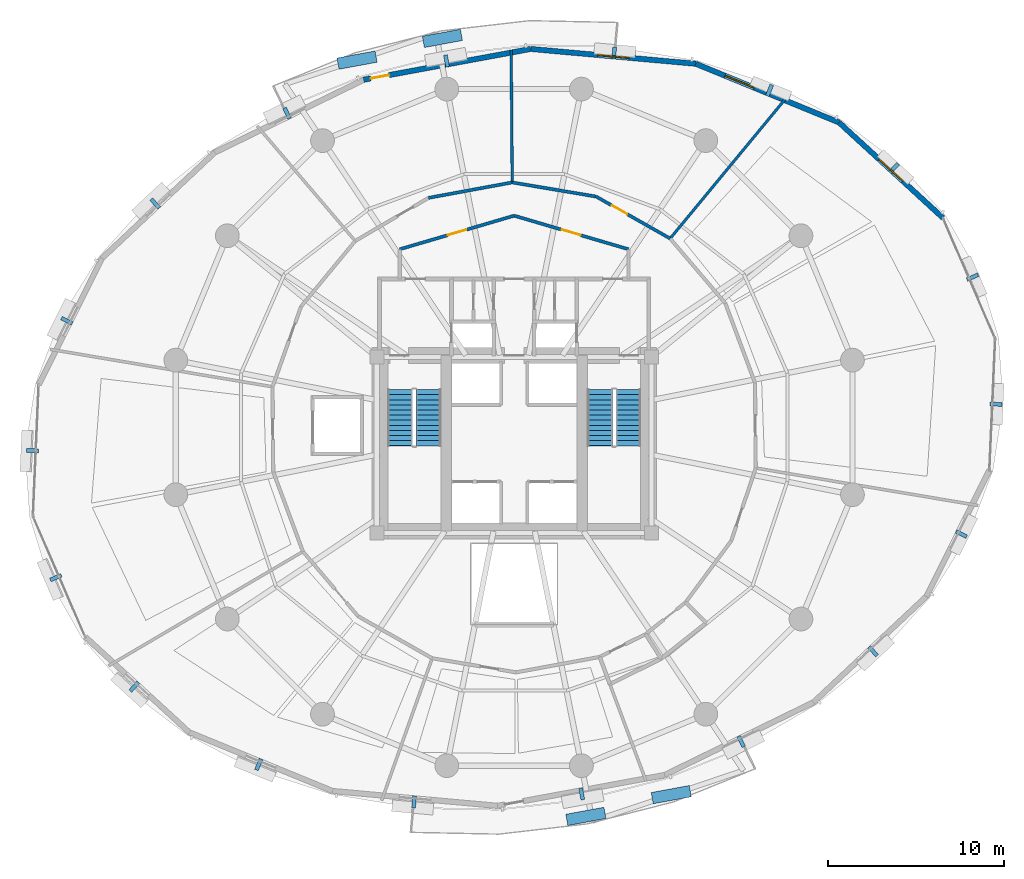
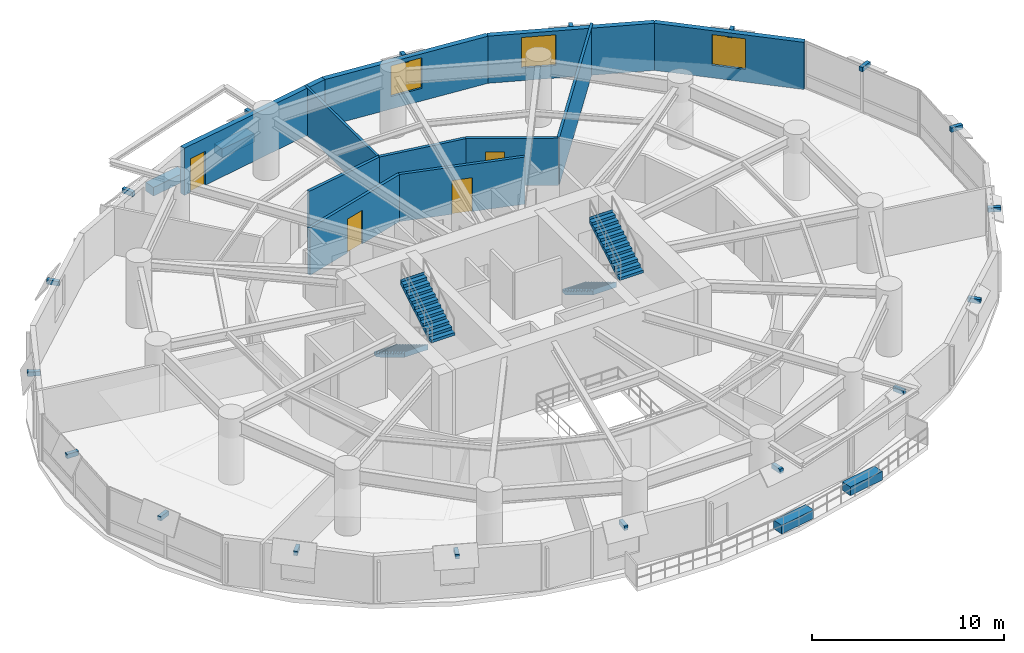
# One storey, part 14 of 17: 22 discrete accessories, 11 walls, 4 doors, 4 stair flights, 3 windows, 7 openings, 2 elements without a shape of their own.
"""IFC4 building model written with IfcOpenShell, lengths in metres."""

from ifc_helpers import new_model, si_unit, direction, frame, frame_2d, origin, origin_2d, place, context, subcontext, project, spatial, polyline, rectangle, outline, extrude, material, layer, layer_set, type_object, element, fill, aggregate, save


model = new_model("IFC4")

# Units and contexts
model_context = context("Model", 3, precision=1e-05, world=origin(), true_north=direction((0.0, 1.0)))
body_context = subcontext(model_context, "Body", "Model", "MODEL_VIEW")
ifc_project = project(units=[si_unit("LENGTHUNIT", "METRE"), si_unit("AREAUNIT", "SQUARE_METRE"), si_unit("VOLUMEUNIT", "CUBIC_METRE"), si_unit("PLANEANGLEUNIT", "RADIAN"), si_unit("MASSUNIT", "GRAM", prefix="KILO"), si_unit("THERMODYNAMICTEMPERATUREUNIT", "KELVIN"), si_unit("POWERUNIT", "WATT")], contexts=[model_context])

# Site, building, storey
site_placement = place(None, origin())
site = spatial("IfcSite", under=ifc_project, at=site_placement, CompositionType="ELEMENT")
building_placement = place(site_placement, origin())
building = spatial("IfcBuilding", under=site, at=building_placement, Name="Ocrelia Relay Tower", CompositionType="ELEMENT")
storey_placement = place(building_placement, frame((0.0, 0.0, 76.199951171875)))
storey = spatial("IfcBuildingStorey", under=building, at=storey_placement, Name="L17", CompositionType="ELEMENT", Elevation=76.199951171875)

# Wall, opening, door
ifc_material_1 = material(Name="Gypsum Fireboard Partition EI60", Category="gypsum")
ifc_layer_1 = layer(ifc_material_1, 0.179931640625, Name="Gypsum Fireboard Partition EI60")
ifc_layer_set_1 = layer_set([ifc_layer_1], Name="Gypsum Fireboard Partition EI60")
wall_type_1 = type_object("IfcWallType", Name="W-CORR-EI60-180", PredefinedType="PARTITIONING", material=ifc_layer_set_1)
wall_1_placement = place(storey_placement, frame((27.5, 36.122802734375, 0.0), z_axis=(0.0, 0.0, 1.0), x_axis=(0.959546654541, 0.281549671923, 0.0)))
wall_1 = element("IfcWall", 1, at=wall_1_placement, inside=storey, type_object=wall_type_1, Name="L17 North Smoke Lobby W Screen Wall", PredefinedType="PARTITIONING", context=body_context, shape_type="SweptSolid", body=[
    extrude(rectangle(XDim=6.77392578125, YDim=0.179931640625, at=frame_2d((3.386962890625, 0.0))), origin(), (0.0, 0.0, 1.0), 3.0),
])
opening_1_placement = place(wall_1_placement, frame((2.8369140625, 0.0, 0.0)))
opening_1 = element("IfcOpeningElement", 2, at=opening_1_placement, cuts=wall_1, Name="Opening D-FD60", PredefinedType="OPENING", context=body_context, shape_type="SweptSolid", body=[
    extrude(rectangle(XDim=1.10009765625, YDim=2.14990234375, at=frame_2d((0.550048828125, 1.074951171875))), frame((0.0, 0.10009765625, 0.0), z_axis=(0.0, -1.0, 0.0), x_axis=(1.0, 0.0, 0.0)), (0.0, 0.0, 1.0), 0.199951171875),
])
ifc_material_2 = material(Name="Timber-core 60-min acoustic fire door", Category="wood")
door_type_1 = type_object("IfcDoorType", Name="DR-LOBBY-FD60-1100", OperationType="NOTDEFINED", PredefinedType="DOOR", material=ifc_material_2)
door_1_placement = place(opening_1_placement, origin())
door_1 = element("IfcDoor", 3, at=door_1_placement, inside=storey, type_object=door_type_1, Name="L17 North Smoke Lobby W Fire Door", OperationType="SINGLE_SWING_RIGHT", OverallHeight=2.14990234375, OverallWidth=1.10009765625, PredefinedType="DOOR", context=body_context, shape_type="SweptSolid", body=[
    extrude(rectangle(XDim=1.10009765625, YDim=2.14990234375, at=frame_2d((0.550048828125, 1.074951171875))), frame((0.0, 0.02490234375, 0.0), z_axis=(0.0, -1.0, 0.0), x_axis=(1.0, 0.0, 0.0)), (0.0, 0.0, 1.0), 0.050048828125),
])
fill(opening_1, door_1)

wall_2_placement = place(storey_placement, frame((34.0, 38.030029296875, 0.0), z_axis=(0.0, 0.0, 1.0), x_axis=(0.959546654541, -0.281549671923, 0.0)))
wall_2 = element("IfcWall", 4, at=wall_2_placement, inside=storey, type_object=wall_type_1, Name="L17 North Smoke Lobby E Screen Wall", PredefinedType="PARTITIONING", context=body_context, shape_type="SweptSolid", body=[
    extrude(rectangle(XDim=6.77392578125, YDim=0.179931640625, at=frame_2d((3.386962890625, 0.0))), origin(), (0.0, 0.0, 1.0), 3.0),
])
opening_2_placement = place(wall_2_placement, frame((2.8369140625, 0.0, 0.0)))
opening_2 = element("IfcOpeningElement", 5, at=opening_2_placement, cuts=wall_2, Name="Opening D-FD60", PredefinedType="OPENING", context=body_context, shape_type="SweptSolid", body=[
    extrude(rectangle(XDim=1.10009765625, YDim=2.14990234375, at=frame_2d((0.550048828125, 1.074951171875))), frame((0.0, 0.10009765625, 0.0), z_axis=(0.0, -1.0, 0.0), x_axis=(1.0, 0.0, 0.0)), (0.0, 0.0, 1.0), 0.199951171875),
])
door_2_placement = place(opening_2_placement, origin())
door_2 = element("IfcDoor", 6, at=door_2_placement, inside=storey, type_object=door_type_1, Name="L17 North Smoke Lobby E Fire Door", OperationType="SINGLE_SWING_LEFT", OverallHeight=2.14990234375, OverallWidth=1.10009765625, PredefinedType="DOOR", context=body_context, shape_type="SweptSolid", body=[
    extrude(rectangle(XDim=1.10009765625, YDim=2.14990234375, at=frame_2d((0.550048828125, 1.074951171875))), frame((0.0, 0.02490234375, 0.0), z_axis=(0.0, -1.0, 0.0), x_axis=(1.0, 0.0, 0.0)), (0.0, 0.0, 1.0), 0.050048828125),
])
fill(opening_2, door_2)

wall_3_placement = place(storey_placement, frame((42.863525390625, 36.7333984375, 0.0), z_axis=(0.0, 0.0, 1.0), x_axis=(-0.869944192354, 0.493150182186, 0.0)))
wall_3 = element("IfcWall", 7, at=wall_3_placement, inside=storey, type_object=wall_type_1, Name="L17 Equipment Staging Store Corridor Partition 1", PredefinedType="PARTITIONING", context=body_context, shape_type="SweptSolid", body=[
    extrude(rectangle(XDim=4.834228515625, YDim=0.179931640625, at=frame_2d((2.4169921875, 0.0))), origin(), (0.0, 0.0, 1.0), 3.0),
])
opening_3_placement = place(wall_3_placement, frame((2.80078125, 0.0, 0.0)))
opening_3 = element("IfcOpeningElement", 8, at=opening_3_placement, cuts=wall_3, Name="Opening D-RM100", PredefinedType="OPENING", context=body_context, shape_type="SweptSolid", body=[
    extrude(rectangle(XDim=1.0, YDim=2.14990234375, at=frame_2d((0.5, 1.074951171875))), frame((0.0, 0.10009765625, 0.0), z_axis=(0.0, -1.0, 0.0), x_axis=(1.0, 0.0, 0.0)), (0.0, 0.0, 1.0), 0.199951171875),
])
ifc_material_3 = material(Name="Acoustic oak veneer fire door", Category="wood")
door_type_2 = type_object("IfcDoorType", Name="DR-ROOM-FD60-1000", OperationType="NOTDEFINED", PredefinedType="DOOR", material=ifc_material_3)
door_3_placement = place(opening_3_placement, origin())
door_3 = element("IfcDoor", 9, at=door_3_placement, inside=storey, type_object=door_type_2, Name="L17 Equipment Staging Store Entrance Door", OperationType="SINGLE_SWING_RIGHT", OverallHeight=2.14990234375, OverallWidth=1.0, PredefinedType="DOOR", context=body_context, shape_type="SweptSolid", body=[
    extrude(rectangle(XDim=1.0, YDim=2.14990234375, at=frame_2d((0.5, 1.074951171875))), frame((0.0, 0.02490234375, 0.0), z_axis=(0.0, -1.0, 0.0), x_axis=(1.0, 0.0, 0.0)), (0.0, 0.0, 1.0), 0.050048828125),
])
fill(opening_3, door_3)

# Walls
for number, where, z_axis, x_axis, name in (
    (10, (38.657958984375, 39.117431640625, 0.0), (0.0, 0.0, 1.0), (-0.986134744465, 0.165946575015, 0.0), "L17 Equipment Staging Store Corridor Partition 2"),
    (11, (33.890625, 39.919677734375, 0.0), (0.0, 0.0, 1.0), (-0.983409356077, -0.181400216044, 0.0), "L17 Archive Vault Store Corridor Partition 1"),
):
    element("IfcWall", number, at=place(storey_placement, frame(where, z_axis=z_axis, x_axis=x_axis)), inside=storey, type_object=wall_type_1, Name=name, PredefinedType="PARTITIONING", context=body_context, shape_type="SweptSolid", body=[
        extrude(rectangle(XDim=4.83447265625, YDim=0.179931640625, at=frame_2d((2.417236328125, 0.0))), origin(), (0.0, 0.0, 1.0), 3.0),
    ])

# Wall, opening, window
ifc_material_4 = material(Name="Precast concrete C40/50 with oxide terracotta", Category="masonry")
ifc_layer_2 = layer(ifc_material_4, 0.300048828125, Name="Precast concrete C40/50 with oxide terracotta")
ifc_layer_set_2 = layer_set([ifc_layer_2], Name="Precast concrete C40/50 with oxide terracotta")
wall_type_2 = type_object("IfcWallType", Name="W-EXT-TERR-300", PredefinedType="SOLIDWALL", material=ifc_layer_set_2)
wall_4_placement = place(storey_placement, frame((58.368896484375, 37.90234375, 0.0), z_axis=(0.0, 0.0, 1.0), x_axis=(-0.736682732999, 0.676238531068, 0.0)))
wall_4 = element("IfcWall", 12, at=wall_4_placement, inside=storey, type_object=wall_type_2, Name="L17 Oxide Terracotta Facade Wall 02", PredefinedType="SOLIDWALL", context=body_context, shape_type="SweptSolid", body=[
    extrude(rectangle(XDim=8.021728515625, YDim=0.300048828125, at=frame_2d((4.0107421875, 0.0))), origin(), (0.0, 0.0, 1.0), 3.0),
])
opening_4_placement = place(wall_4_placement, frame((3.111083984375, 0.0, 0.800048828125)))
opening_4 = element("IfcOpeningElement", 13, at=opening_4_placement, cuts=wall_4, Name="Opening W-02", PredefinedType="OPENING", context=body_context, shape_type="SweptSolid", body=[
    extrude(rectangle(XDim=1.800048828125, YDim=1.949951171875, at=frame_2d((0.89990234375, 0.97509765625))), frame((0.0, 0.16015625, 0.0), z_axis=(0.0, -1.0, 0.0), x_axis=(1.0, 0.0, 0.0)), (0.0, 0.0, 1.0), 0.320068359375),
])
ifc_material_5 = material(Name="Clear double-glazed low-E glass", Category="glass")
window_type = type_object("IfcWindowType", Name="WIN-Z1-1800x2100", PartitioningType="DOUBLE_PANEL_VERTICAL", PredefinedType="WINDOW", material=ifc_material_5)
window_1_placement = place(opening_4_placement, origin())
window_1 = element("IfcWindow", 14, at=window_1_placement, inside=storey, type_object=window_type, Name="L17 Facade Module Window 02", OverallHeight=1.949951171875, OverallWidth=1.800048828125, PartitioningType="SINGLE_PANEL", PredefinedType="WINDOW", context=body_context, shape_type="SweptSolid", body=[
    extrude(rectangle(XDim=1.800048828125, YDim=1.949951171875, at=frame_2d((0.89990234375, 0.97509765625))), frame((0.0, 0.030029296875, 0.0), z_axis=(0.0, -1.0, 0.0), x_axis=(1.0, 0.0, 0.0)), (0.0, 0.0, 1.0), 0.06005859375),
])
fill(opening_4, window_1)

wall_5_placement = place(storey_placement, frame((52.45947265625, 43.326904296875, 0.0), z_axis=(0.0, 0.0, 1.0), x_axis=(-0.925289325161, 0.379262000131, 0.0)))
wall_5 = element("IfcWall", 15, at=wall_5_placement, inside=storey, type_object=wall_type_2, Name="L17 Oxide Terracotta Facade Wall 03", PredefinedType="SOLIDWALL", context=body_context, shape_type="SweptSolid", body=[
    extrude(rectangle(XDim=8.792724609375, YDim=0.300048828125, at=frame_2d((4.396484375, 0.0))), origin(), (0.0, 0.0, 1.0), 3.0),
])
opening_5_placement = place(wall_5_placement, frame((5.201904296875, 0.0, 0.800048828125)))
opening_5 = element("IfcOpeningElement", 16, at=opening_5_placement, cuts=wall_5, Name="Opening W-02", PredefinedType="OPENING", context=body_context, shape_type="SweptSolid", body=[
    extrude(rectangle(XDim=1.800048828125, YDim=1.949951171875, at=frame_2d((0.89990234375, 0.97509765625))), frame((0.0, 0.16015625, 0.0), z_axis=(0.0, -1.0, 0.0), x_axis=(1.0, 0.0, 0.0)), (0.0, 0.0, 1.0), 0.320068359375),
])
window_2_placement = place(opening_5_placement, origin())
window_2 = element("IfcWindow", 17, at=window_2_placement, inside=storey, type_object=window_type, Name="L17 Facade Module Window 03", OverallHeight=1.949951171875, OverallWidth=1.800048828125, PartitioningType="SINGLE_PANEL", PredefinedType="WINDOW", context=body_context, shape_type="SweptSolid", body=[
    extrude(rectangle(XDim=1.800048828125, YDim=1.949951171875, at=frame_2d((0.89990234375, 0.97509765625))), frame((0.0, 0.030029296875, 0.0), z_axis=(0.0, -1.0, 0.0), x_axis=(1.0, 0.0, 0.0)), (0.0, 0.0, 1.0), 0.06005859375),
])
fill(opening_5, window_2)

wall_6_placement = place(storey_placement, frame((44.32373046875, 46.66162109375, 0.0), z_axis=(0.0, 0.0, 1.0), x_axis=(-0.995991198561, 0.089451285003, 0.0)))
wall_6 = element("IfcWall", 18, at=wall_6_placement, inside=storey, type_object=wall_type_2, Name="L17 Oxide Terracotta Facade Wall 04", PredefinedType="SOLIDWALL", context=body_context, shape_type="SweptSolid", body=[
    extrude(rectangle(XDim=9.4189453125, YDim=0.300048828125, at=frame_2d((4.70947265625, 0.0))), origin(), (0.0, 0.0, 1.0), 3.0),
])
opening_6_placement = place(wall_6_placement, frame((3.80908203125, 0.0, 0.800048828125)))
opening_6 = element("IfcOpeningElement", 19, at=opening_6_placement, cuts=wall_6, Name="Opening W-02", PredefinedType="OPENING", context=body_context, shape_type="SweptSolid", body=[
    extrude(rectangle(XDim=1.800048828125, YDim=1.949951171875, at=frame_2d((0.89990234375, 0.97509765625))), frame((0.0, 0.16015625, 0.0), z_axis=(0.0, -1.0, 0.0), x_axis=(1.0, 0.0, 0.0)), (0.0, 0.0, 1.0), 0.320068359375),
])
window_3_placement = place(opening_6_placement, origin())
window_3 = element("IfcWindow", 20, at=window_3_placement, inside=storey, type_object=window_type, Name="L17 Facade Module Window 04", OverallHeight=1.949951171875, OverallWidth=1.800048828125, PartitioningType="SINGLE_PANEL", PredefinedType="WINDOW", context=body_context, shape_type="SweptSolid", body=[
    extrude(rectangle(XDim=1.800048828125, YDim=1.949951171875, at=frame_2d((0.89990234375, 0.97509765625))), frame((0.0, 0.030029296875, 0.0), z_axis=(0.0, -1.0, 0.0), x_axis=(1.0, 0.0, 0.0)), (0.0, 0.0, 1.0), 0.06005859375),
])
fill(opening_6, window_3)

# Wall, opening, door
wall_7_placement = place(storey_placement, frame((34.942626953125, 47.504150390625, 0.0), z_axis=(0.0, 0.0, 1.0), x_axis=(-0.983412379237, -0.18138382608, 0.0)))
wall_7 = element("IfcWall", 21, at=wall_7_placement, inside=storey, type_object=wall_type_2, Name="L17 Oxide Terracotta Facade Wall 05", PredefinedType="SOLIDWALL", context=body_context, shape_type="SweptSolid", body=[
    extrude(rectangle(XDim=9.65478515625, YDim=0.300048828125, at=frame_2d((4.827392578125, 0.0))), origin(), (0.0, 0.0, 1.0), 3.0),
])
opening_7_placement = place(wall_7_placement, frame((8.18994140625, 0.0, 0.0)))
opening_7 = element("IfcOpeningElement", 22, at=opening_7_placement, cuts=wall_7, Name="Opening DB-105", PredefinedType="OPENING", context=body_context, shape_type="SweptSolid", body=[
    extrude(rectangle(XDim=1.050048828125, YDim=2.14990234375, at=frame_2d((0.52490234375, 1.074951171875))), frame((0.0, 0.16015625, 0.0), z_axis=(0.0, -1.0, 0.0), x_axis=(1.0, 0.0, 0.0)), (0.0, 0.0, 1.0), 0.320068359375),
])
ifc_material_6 = material(Name="Thermally broken aluminium and clear glass", Category="aluminium")
door_type_3 = type_object("IfcDoorType", Name="DR-BALC-1050", OperationType="NOTDEFINED", PredefinedType="DOOR", material=ifc_material_6)
door_4_placement = place(opening_7_placement, origin())
door_4 = element("IfcDoor", 23, at=door_4_placement, inside=storey, type_object=door_type_3, Name="L17 Planted Loggia Balcony Door B1", OperationType="SINGLE_SWING_LEFT", OverallHeight=2.14990234375, OverallWidth=1.050048828125, PredefinedType="DOOR", context=body_context, shape_type="SweptSolid", body=[
    extrude(rectangle(XDim=1.050048828125, YDim=2.14990234375, at=frame_2d((0.52490234375, 1.074951171875))), frame((0.0, 0.02490234375, 0.0), z_axis=(0.0, -1.0, 0.0), x_axis=(1.0, 0.0, 0.0)), (0.0, 0.0, 1.0), 0.050048828125),
])
fill(opening_7, door_4)

# Walls
ifc_material_7 = material(Name="Acoustic Fireboard Partition EI60", Category="gypsum")
ifc_layer_3 = layer(ifc_material_7, 0.14990234375, Name="Acoustic Fireboard Partition EI60")
ifc_layer_set_3 = layer_set([ifc_layer_3], Name="Acoustic Fireboard Partition EI60")
wall_type_3 = type_object("IfcWallType", Name="W-PART-150", PredefinedType="PARTITIONING", material=ifc_layer_set_3)
wall_8_placement = place(storey_placement, frame((42.863525390625, 36.7333984375, 0.0), z_axis=(0.0, 0.0, 1.0), x_axis=(0.636757052036, 0.771064495799, 0.0)))
element("IfcWall", 24, at=wall_8_placement, inside=storey, type_object=wall_type_3, Name="L17 Colocation Data Hall A Radial Partition", PredefinedType="PARTITIONING", context=body_context, shape_type="SweptSolid", body=[
    extrude(rectangle(XDim=10.55029296875, YDim=0.14990234375, at=frame_2d((5.275146484375, 0.0))), origin(), (0.0, 0.0, 1.0), 3.0),
])
wall_9_placement = place(storey_placement, frame((33.890625, 39.919677734375, 0.0), z_axis=(0.0, 0.0, 1.0), x_axis=(-0.007830791573, 0.999969338882, 0.0)))
element("IfcWall", 25, at=wall_9_placement, inside=storey, type_object=wall_type_3, Name="L17 Equipment Staging Store Radial Partition", PredefinedType="PARTITIONING", context=body_context, shape_type="SweptSolid", body=[
    extrude(rectangle(XDim=7.513671875, YDim=0.14990234375, at=frame_2d((3.7568359375, 0.0))), origin(), (0.0, 0.0, 1.0), 3.0),
])

# Stair, stair flights
ifc_material_8 = material(Name="Concrete C50/60", Category="concrete")
stair_type = type_object("IfcStairType", Name="ST-DL-1420-R175", PredefinedType="HALF_TURN_STAIR", material=ifc_material_8)
stair_1_placement = place(storey_placement, origin())
stair_1 = element("IfcStair", 26, at=stair_1_placement, inside=storey, type_object=stair_type, Name="L17 West Core Exit Stair ST1", PredefinedType="HALF_TURN_STAIR")
stair_flight_type = type_object("IfcStairFlightType", Name="STF-DL-1420-R175", PredefinedType="STRAIGHT", material=ifc_material_8)
stair_flight_1_placement = place(storey_placement, frame((27.52001953125, 28.14990234375, 0.0), z_axis=(0.0, 0.0, 1.0), x_axis=(0.0, -1.0, 0.0)))
stair_flight_1 = element("IfcStairFlight", 27, at=stair_flight_1_placement, type_object=stair_flight_type, Name="ST1 flight 1", NumberOfRisers=12, NumberOfTreads=11, PredefinedType="STRAIGHT", RiserHeight=0.175, TreadLength=0.29, context=body_context, shape_type="SweptSolid", body=[
    extrude(outline(polyline([(-0.008056640625, 0.0), (-0.008056640625, 0.175048828125), (0.0, 0.175048828125), (0.2900390625, 0.175048828125), (0.2900390625, 0.35009765625), (0.580078125, 0.35009765625), (0.580078125, 0.52490234375), (0.8701171875, 0.52490234375), (0.8701171875, 0.699951171875), (1.159912109375, 0.699951171875), (1.159912109375, 0.875), (1.449951171875, 0.875), (1.449951171875, 1.050048828125), (1.739990234375, 1.050048828125), (1.739990234375, 1.22509765625), (2.030029296875, 1.22509765625), (2.030029296875, 1.39990234375), (2.320068359375, 1.39990234375), (2.320068359375, 1.574951171875), (2.610107421875, 1.574951171875), (2.610107421875, 1.75), (2.89990234375, 1.75), (2.89990234375, 1.925048828125), (3.18994140625, 1.925048828125), (3.18994140625, 2.10009765625), (3.197998046875, 2.10009765625), (3.197998046875, 1.75), (0.2900390625, 0.0), (-0.008056640625, 0.0)])), frame((0.0, 0.7099609375, 0.0), z_axis=(0.0, -1.0, 0.0), x_axis=(1.0, 0.0, 0.0)), (0.0, 0.0, 1.0), 1.419921875),
])
stair_flight_2_placement = place(storey_placement, frame((29.139892578125, 24.9599609375, 2.10009765625), z_axis=(0.0, 0.0, 1.0), x_axis=(0.0, 1.0, 0.0)))
stair_flight_2 = element("IfcStairFlight", 28, at=stair_flight_2_placement, type_object=stair_flight_type, Name="ST1 flight 2", NumberOfRisers=12, NumberOfTreads=11, PredefinedType="STRAIGHT", RiserHeight=0.175, TreadLength=0.29, context=body_context, shape_type="SweptSolid", body=[
    extrude(outline(polyline([(-0.008056640625, 0.0), (-0.008056640625, 0.175048828125), (0.0, 0.175048828125), (0.2900390625, 0.175048828125), (0.2900390625, 0.35009765625), (0.580078125, 0.35009765625), (0.580078125, 0.52490234375), (0.8701171875, 0.52490234375), (0.8701171875, 0.699951171875), (1.159912109375, 0.699951171875), (1.159912109375, 0.875), (1.449951171875, 0.875), (1.449951171875, 1.050048828125), (1.739990234375, 1.050048828125), (1.739990234375, 1.22509765625), (2.030029296875, 1.22509765625), (2.030029296875, 1.39990234375), (2.320068359375, 1.39990234375), (2.320068359375, 1.574951171875), (2.610107421875, 1.574951171875), (2.610107421875, 1.75), (2.89990234375, 1.75), (2.89990234375, 1.925048828125), (3.18994140625, 1.925048828125), (3.18994140625, 2.10009765625), (3.197998046875, 2.10009765625), (3.197998046875, 1.75), (0.2900390625, 0.0), (-0.008056640625, 0.0)])), frame((0.0, 0.7099609375, 0.0), z_axis=(0.0, -1.0, 0.0), x_axis=(1.0, 0.0, 0.0)), (0.0, 0.0, 1.0), 1.419921875),
])
aggregate(stair_1, [stair_flight_1, stair_flight_2])

stair_2_placement = place(storey_placement, origin())
stair_2 = element("IfcStair", 29, at=stair_2_placement, inside=storey, type_object=stair_type, Name="L17 East Core Exit Stair ST2", PredefinedType="HALF_TURN_STAIR")
stair_flight_3_placement = place(storey_placement, frame((38.8701171875, 28.14990234375, 0.0), z_axis=(0.0, 0.0, 1.0), x_axis=(0.0, -1.0, 0.0)))
stair_flight_3 = element("IfcStairFlight", 30, at=stair_flight_3_placement, type_object=stair_flight_type, Name="ST2 flight 1", NumberOfRisers=12, NumberOfTreads=11, PredefinedType="STRAIGHT", RiserHeight=0.175, TreadLength=0.29, context=body_context, shape_type="SweptSolid", body=[
    extrude(outline(polyline([(-0.008056640625, 0.0), (-0.008056640625, 0.175048828125), (0.0, 0.175048828125), (0.2900390625, 0.175048828125), (0.2900390625, 0.35009765625), (0.580078125, 0.35009765625), (0.580078125, 0.52490234375), (0.8701171875, 0.52490234375), (0.8701171875, 0.699951171875), (1.159912109375, 0.699951171875), (1.159912109375, 0.875), (1.449951171875, 0.875), (1.449951171875, 1.050048828125), (1.739990234375, 1.050048828125), (1.739990234375, 1.22509765625), (2.030029296875, 1.22509765625), (2.030029296875, 1.39990234375), (2.320068359375, 1.39990234375), (2.320068359375, 1.574951171875), (2.610107421875, 1.574951171875), (2.610107421875, 1.75), (2.89990234375, 1.75), (2.89990234375, 1.925048828125), (3.18994140625, 1.925048828125), (3.18994140625, 2.10009765625), (3.197998046875, 2.10009765625), (3.197998046875, 1.75), (0.2900390625, 0.0), (-0.008056640625, 0.0)])), frame((0.0, 0.7099609375, 0.0), z_axis=(0.0, -1.0, 0.0), x_axis=(1.0, 0.0, 0.0)), (0.0, 0.0, 1.0), 1.419921875),
])
stair_flight_4_placement = place(storey_placement, frame((40.489990234375, 24.9599609375, 2.10009765625), z_axis=(0.0, 0.0, 1.0), x_axis=(0.0, 1.0, 0.0)))
stair_flight_4 = element("IfcStairFlight", 31, at=stair_flight_4_placement, type_object=stair_flight_type, Name="ST2 flight 2", NumberOfRisers=12, NumberOfTreads=11, PredefinedType="STRAIGHT", RiserHeight=0.175, TreadLength=0.29, context=body_context, shape_type="SweptSolid", body=[
    extrude(outline(polyline([(-0.008056640625, 0.0), (-0.008056640625, 0.175048828125), (0.0, 0.175048828125), (0.2900390625, 0.175048828125), (0.2900390625, 0.35009765625), (0.580078125, 0.35009765625), (0.580078125, 0.52490234375), (0.8701171875, 0.52490234375), (0.8701171875, 0.699951171875), (1.159912109375, 0.699951171875), (1.159912109375, 0.875), (1.449951171875, 0.875), (1.449951171875, 1.050048828125), (1.739990234375, 1.050048828125), (1.739990234375, 1.22509765625), (2.030029296875, 1.22509765625), (2.030029296875, 1.39990234375), (2.320068359375, 1.39990234375), (2.320068359375, 1.574951171875), (2.610107421875, 1.574951171875), (2.610107421875, 1.75), (2.89990234375, 1.75), (2.89990234375, 1.925048828125), (3.18994140625, 1.925048828125), (3.18994140625, 2.10009765625), (3.197998046875, 2.10009765625), (3.197998046875, 1.75), (0.2900390625, 0.0), (-0.008056640625, 0.0)])), frame((0.0, 0.7099609375, 0.0), z_axis=(0.0, -1.0, 0.0), x_axis=(1.0, 0.0, 0.0)), (0.0, 0.0, 1.0), 1.419921875),
])
aggregate(stair_2, [stair_flight_3, stair_flight_4])

# Discrete accessories
ifc_material_9 = material(Name="Precast concrete C40/50 planter with highland greenery", Category="concrete")
discrete_accessory_type_1 = type_object("IfcDiscreteAccessoryType", Name="ACC-BALC-PLANTER", PredefinedType="USERDEFINED", material=ifc_material_9)
for number, where, z_axis, x_axis, name in (
    (32, (29.923095703125, 48.1044921875, 0.0), (0.0, 0.0, 1.0), (0.983412900365, 0.181381000645, 0.0), "L17 Balcony Terracotta Planter with Greenery B1"),
    (33, (25.072998046875, 46.868896484375, 0.0), (0.0, 0.0, 1.0), (0.983412900365, 0.181381000645, 0.0), "L17 Balcony Terracotta Planter B1-2"),
    (34, (38.076904296875, 3.8955078125, 0.0), (0.0, 0.0, 1.0), (-0.983412900365, -0.181381000645, 0.0), "L17 Balcony Terracotta Planter with Greenery B2"),
    (35, (42.927001953125, 5.131103515625, 0.0), (0.0, 0.0, 1.0), (-0.983412900365, -0.181381000645, 0.0), "L17 Balcony Terracotta Planter B2-2"),
):
    element("IfcDiscreteAccessory", number, at=place(storey_placement, frame(where, z_axis=z_axis, x_axis=x_axis)), inside=storey, type_object=discrete_accessory_type_1, Name=name, ObjectType="PLANTER", PredefinedType="USERDEFINED", context=body_context, shape_type="SweptSolid", body=[
        extrude(rectangle(XDim=2.199951171875, YDim=0.64990234375, at=origin_2d()), origin(), (0.0, 0.0, 1.0), 0.550048828125),
    ])
ifc_material_10 = material(Name="Steel S355", Category="steel")
discrete_accessory_type_2 = type_object("IfcDiscreteAccessoryType", Name="ACC-VISOR-BRACKET", PredefinedType="BRACKET", material=ifc_material_10)
for number, where, z_axis, x_axis, name in (
    (36, (60.0439453125, 34.53466796875, 2.7001953125), (0.0, 0.0, 1.0), (-0.397313471249, 0.917682954818, 0.0), "L17 Visor Mounting Bracket 01"),
    (37, (55.579345703125, 40.727294921875, 2.7001953125), (0.0, 0.0, 1.0), (-0.736679433924, 0.676242125006, 0.0), "L17 Visor Mounting Bracket 02"),
    (38, (48.512451171875, 45.153564453125, 2.7001953125), (0.0, 0.0, 1.0), (-0.925294932346, 0.379248319936, 0.0), "L17 Visor Mounting Bracket 03"),
    (39, (39.684814453125, 47.27587890625, 2.7001953125), (0.0, 0.0, 1.0), (-0.9959904418, 0.089459710722, 0.0), "L17 Visor Mounting Bracket 04"),
    (40, (30.1591796875, 46.8251953125, 2.7001953125), (0.0, 0.0, 1.0), (-0.983413003985, -0.18138043884, 0.0), "L17 Visor Mounting Bracket 05"),
    (41, (21.09912109375, 43.84814453125, 2.7001953125), (0.0, 0.0, 1.0), (-0.898546192642, -0.438878957901, 0.0), "L17 Visor Mounting Bracket 06"),
    (42, (13.609619140625, 38.71630859375, 2.7001953125), (0.0, 0.0, 1.0), (-0.729123876607, -0.68438174476, 0.0), "L17 Visor Mounting Bracket 07"),
    (43, (8.586669921875, 32.060302734375, 2.7001953125), (0.0, 0.0, 1.0), (-0.446969237962, -0.894549328051, 0.0), "L17 Visor Mounting Bracket 08"),
    (44, (6.625, 24.68212890625, 2.7001953125), (0.0, 0.0, 1.0), (-0.04379656013, -0.999040470312, 0.0), "L17 Visor Mounting Bracket 09"),
    (45, (7.9560546875, 17.46533203125, 2.7001953125), (0.0, 0.0, 1.0), (0.397313471249, -0.917682954818, 0.0), "L17 Visor Mounting Bracket 10"),
    (46, (12.420654296875, 11.272705078125, 2.7001953125), (0.0, 0.0, 1.0), (0.736679433924, -0.676242125006, 0.0), "L17 Visor Mounting Bracket 11"),
    (47, (19.487548828125, 6.846435546875, 2.7001953125), (0.0, 0.0, 1.0), (0.925294932346, -0.379248319936, 0.0), "L17 Visor Mounting Bracket 12"),
    (48, (28.315185546875, 4.72412109375, 2.7001953125), (0.0, 0.0, 1.0), (0.9959904418, -0.089459710722, 0.0), "L17 Visor Mounting Bracket 13"),
    (49, (37.8408203125, 5.1748046875, 2.7001953125), (0.0, 0.0, 1.0), (0.983413003985, 0.18138043884, 0.0), "L17 Visor Mounting Bracket 14"),
    (50, (46.90087890625, 8.15185546875, 2.7001953125), (0.0, 0.0, 1.0), (0.898546192642, 0.438878957901, 0.0), "L17 Visor Mounting Bracket 15"),
    (51, (54.390380859375, 13.28369140625, 2.7001953125), (0.0, 0.0, 1.0), (0.729123876607, 0.68438174476, 0.0), "L17 Visor Mounting Bracket 16"),
    (52, (59.413330078125, 19.939697265625, 2.7001953125), (0.0, 0.0, 1.0), (0.446969237962, 0.894549328051, 0.0), "L17 Visor Mounting Bracket 17"),
    (53, (61.375, 27.31787109375, 2.7001953125), (0.0, 0.0, 1.0), (0.04379656013, 0.999040470312, 0.0), "L17 Visor Mounting Bracket 18"),
):
    element("IfcDiscreteAccessory", number, at=place(storey_placement, frame(where, z_axis=z_axis, x_axis=x_axis)), inside=storey, type_object=discrete_accessory_type_2, Name=name, PredefinedType="BRACKET", context=body_context, shape_type="SweptSolid", body=[
        extrude(rectangle(XDim=0.219970703125, YDim=0.679931640625, at=origin_2d()), origin(), (0.0, 0.0, 1.0), 0.280029296875),
    ])

save(model, "model.ifc")
